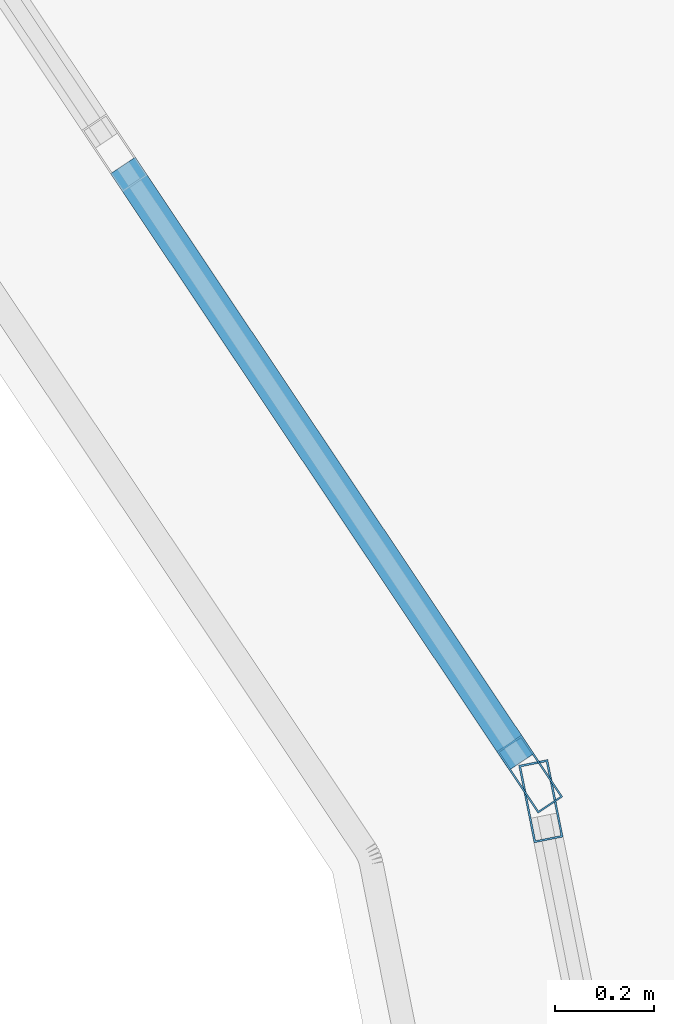
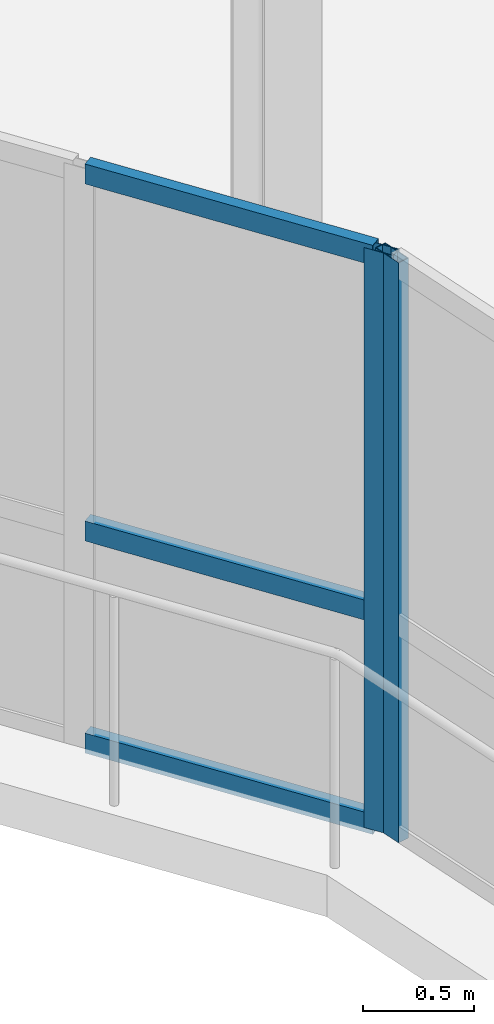
# One storey, part 22 of 91: 5 members, 2 elements without a shape of their own.
"""IFC4 building model written with IfcOpenShell, lengths in metres."""

from ifc_helpers import new_model, si_unit, direction, frame, origin, origin_2d, place, context, subcontext, project, spatial, hollow_rectangle, extrude, material, layer, layer_set, material_profile, profile_set, type_object, element, aggregate, save


model = new_model("IFC4")

# Units and contexts
model_context = context("Model", 3, precision=1e-05, world=origin(), true_north=direction((0.0, 1.0)))
body_context = subcontext(model_context, "Body", "Model", "MODEL_VIEW")
ifc_project = project(units=[si_unit("LENGTHUNIT", "METRE"), si_unit("AREAUNIT", "SQUARE_METRE"), si_unit("VOLUMEUNIT", "CUBIC_METRE"), si_unit("PLANEANGLEUNIT", "RADIAN"), si_unit("MASSUNIT", "GRAM", prefix="KILO"), si_unit("THERMODYNAMICTEMPERATUREUNIT", "KELVIN")], contexts=[model_context])

# Site, building, storey
site_placement = place(None, origin())
site = spatial("IfcSite", under=ifc_project, at=site_placement, CompositionType="ELEMENT")
building_placement = place(site_placement, origin())
building = spatial("IfcBuilding", under=site, at=building_placement, Name="Lustrewick Department Store", CompositionType="ELEMENT")
storey_placement = place(building_placement, frame((0.0, 0.0, 21.60009765625)))
storey = spatial("IfcBuildingStorey", under=building, at=storey_placement, Name="L05", CompositionType="ELEMENT", Elevation=21.60009765625)

# Curtain wall, member
ifc_material = material(Name="Thermally broken aluminium 6063-T5", Category="aluminium")
ifc_layer_1 = layer(ifc_material, 0.159912109375, Name="Thermally broken aluminium 6063-T5")
ifc_layer_set_1 = layer_set([ifc_layer_1], Name="Thermally broken aluminium 6063-T5")
curtain_wall_type_1 = type_object("IfcCurtainWallType", Name="CW17", PredefinedType="NOTDEFINED", material=ifc_layer_set_1)
curtain_wall_1_placement = place(storey_placement, origin())
curtain_wall_1 = element("IfcCurtainWall", 1, at=curtain_wall_1_placement, inside=storey, type_object=curtain_wall_type_1, Name="L05 Atrium Glazed Screen CW17", PredefinedType="NOTDEFINED")
ifc_material_profile_1 = material_profile(ifc_material, hollow_rectangle(XDim=0.06005859375, YDim=0.159912109375, WallThickness=0.00390625, at=origin_2d()), Name="ALU-M 60x160x4")
ifc_profile_set_1 = profile_set([ifc_material_profile_1], Name="Thermally broken aluminium 6063-T5")
member_type_1 = type_object("IfcMemberType", Name="CW17-M1", PredefinedType="MULLION", material=ifc_profile_set_1)
member_1_placement = place(storey_placement, frame((40.353759765625, 71.705322265625, 0.0), z_axis=(0.0, 0.0, 1.0), x_axis=(-0.980786430993, -0.195084537521, 0.0)))
member_1 = element("IfcMember", 2, at=member_1_placement, type_object=member_type_1, Name="CW17 mullion 4", PredefinedType="MULLION", context=body_context, shape_type="SweptSolid", body=[
    extrude(hollow_rectangle(XDim=0.06005859375, YDim=0.159912109375, WallThickness=0.00390625, at=origin_2d()), origin(), (0.0, 0.0, 1.0), 3.199951171875),
])
aggregate(curtain_wall_1, [member_1])

# Curtain wall, members
ifc_layer_2 = layer(ifc_material, 0.14990234375, Name="Thermally broken aluminium 6063-T5")
ifc_layer_set_2 = layer_set([ifc_layer_2], Name="Thermally broken aluminium 6063-T5")
curtain_wall_type_2 = type_object("IfcCurtainWallType", Name="CW18", PredefinedType="NOTDEFINED", material=ifc_layer_set_2)
curtain_wall_2_placement = place(storey_placement, origin())
curtain_wall_2 = element("IfcCurtainWall", 3, at=curtain_wall_2_placement, inside=storey, type_object=curtain_wall_type_2, Name="L05 Atrium Glazed Screen CW18", PredefinedType="NOTDEFINED")
ifc_material_profile_2 = material_profile(ifc_material, hollow_rectangle(XDim=0.06005859375, YDim=0.14990234375, WallThickness=0.00341796875, at=origin_2d()), Name="ALU-M 60x150x3.5")
ifc_profile_set_2 = profile_set([ifc_material_profile_2], Name="Thermally broken aluminium 6063-T5")
member_type_2 = type_object("IfcMemberType", Name="CW18-M1", PredefinedType="MULLION", material=ifc_profile_set_2)
member_2_placement = place(storey_placement, frame((40.331298828125, 71.759765625, 0.0), z_axis=(0.0, 0.0, 1.0), x_axis=(-0.831464212799, -0.555578313862, 0.0)))
member_2 = element("IfcMember", 4, at=member_2_placement, type_object=member_type_2, Name="CW18 mullion 1", PredefinedType="MULLION", context=body_context, shape_type="SweptSolid", body=[
    extrude(hollow_rectangle(XDim=0.06005859375, YDim=0.14990234375, WallThickness=0.00341796875, at=origin_2d()), origin(), (0.0, 0.0, 1.0), 3.199951171875),
])
ifc_material_profile_3 = material_profile(ifc_material, hollow_rectangle(XDim=0.06005859375, YDim=0.110107421875, WallThickness=0.0029296875, at=origin_2d()), Name="ALU-T 60x110x3")
ifc_profile_set_3 = profile_set([ifc_material_profile_3], Name="Thermally broken aluminium 6063-T5")
member_type_3 = type_object("IfcMemberType", Name="CW18-T1", PredefinedType="USERDEFINED", material=ifc_profile_set_3)
member_3_placement = place(storey_placement, frame((40.314697265625, 71.78466796875, 0.02978515625), z_axis=(-0.555670388234, 0.831402682002, 0.0), x_axis=(-0.831402682002, -0.555670388234, 0.0)))
member_3 = element("IfcMember", 5, at=member_3_placement, type_object=member_type_3, Name="CW18 transom 1.1", ObjectType="TRANSOM", PredefinedType="USERDEFINED", context=body_context, shape_type="SweptSolid", body=[
    extrude(hollow_rectangle(XDim=0.06005859375, YDim=0.110107421875, WallThickness=0.0029296875, at=origin_2d()), origin(), (0.0, 0.0, 1.0), 1.451171875),
])
member_4_placement = place(storey_placement, frame((40.314697265625, 71.78466796875, 1.199951171875), z_axis=(-0.555670388234, 0.831402682002, 0.0), x_axis=(-0.831402682002, -0.555670388234, 0.0)))
member_4 = element("IfcMember", 6, at=member_4_placement, type_object=member_type_3, Name="CW18 transom 1.2", ObjectType="TRANSOM", PredefinedType="USERDEFINED", context=body_context, shape_type="SweptSolid", body=[
    extrude(hollow_rectangle(XDim=0.06005859375, YDim=0.110107421875, WallThickness=0.0029296875, at=origin_2d()), origin(), (0.0, 0.0, 1.0), 1.451171875),
])
member_5_placement = place(storey_placement, frame((40.314697265625, 71.78466796875, 3.169921875), z_axis=(-0.555670388234, 0.831402682002, 0.0), x_axis=(-0.831402682002, -0.555670388234, 0.0)))
member_5 = element("IfcMember", 7, at=member_5_placement, type_object=member_type_3, Name="CW18 transom 1.3", ObjectType="TRANSOM", PredefinedType="USERDEFINED", context=body_context, shape_type="SweptSolid", body=[
    extrude(hollow_rectangle(XDim=0.06005859375, YDim=0.110107421875, WallThickness=0.0029296875, at=origin_2d()), origin(), (0.0, 0.0, 1.0), 1.451171875),
])
aggregate(curtain_wall_2, [member_2, member_3, member_4, member_5])

save(model, "model.ifc")
